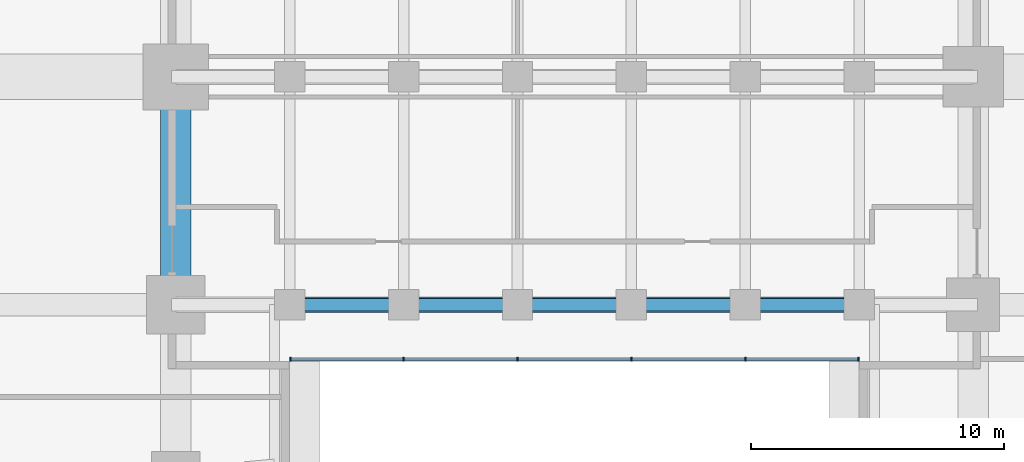
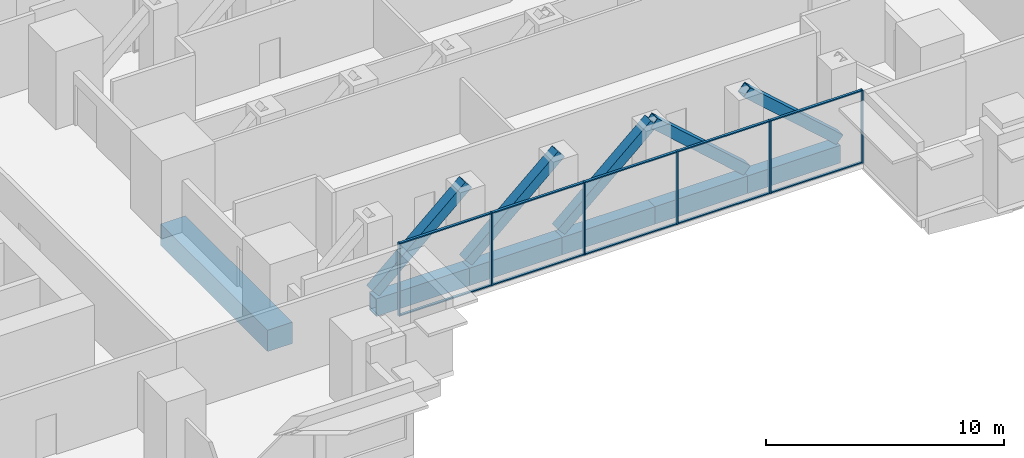
# One storey, part 2 of 14: 21 members, 6 beams, 1 element without a shape of its own.
"""IFC4 building model written with IfcOpenShell, lengths in metres."""

from ifc_helpers import new_model, si_unit, direction, frame, origin, origin_2d, place, context, subcontext, project, spatial, rectangle, hollow_rectangle, extrude, material, layer, layer_set, material_profile, profile_set, type_object, element, aggregate, save


model = new_model("IFC4")

# Units and contexts
model_context = context("Model", 3, precision=1e-05, world=origin(), true_north=direction((0.0, 1.0)))
body_context = subcontext(model_context, "Body", "Model", "MODEL_VIEW")
ifc_project = project(units=[si_unit("LENGTHUNIT", "METRE"), si_unit("AREAUNIT", "SQUARE_METRE"), si_unit("VOLUMEUNIT", "CUBIC_METRE"), si_unit("PLANEANGLEUNIT", "RADIAN"), si_unit("MASSUNIT", "GRAM", prefix="KILO")], contexts=[model_context])

# Site, building, storey
site_placement = place(None, origin())
site = spatial("IfcSite", under=ifc_project, at=site_placement, CompositionType="ELEMENT")
building_placement = place(site_placement, origin())
building = spatial("IfcBuilding", under=site, at=building_placement, Name="Namib Vertical Campus", CompositionType="ELEMENT")
storey_placement = place(building_placement, frame((0.0, 0.0, 133.0)))
storey = spatial("IfcBuildingStorey", under=building, at=storey_placement, Name="L31", CompositionType="ELEMENT", Elevation=133.0)

# Members
ifc_material_1 = material(Name="Steel S355JR", Category="steel")
ifc_material_profile_1 = material_profile(ifc_material_1, hollow_rectangle(XDim=0.5, YDim=0.5, WallThickness=0.031982421875, at=origin_2d()))
ifc_profile_set_1 = profile_set([ifc_material_profile_1], Name="Steel S355JR")
member_type_1 = type_object("IfcMemberType", Name="Bridge end brace WB 500x500x32", PredefinedType="BRACE", material=ifc_profile_set_1)
for number, where, z_axis, x_axis, name in (
    (1, (40.5, 11.25, 0.0), (0.747409318684, 0.0, 0.66436383883), (0.0, 1.0, 0.0), "Bridge brace BX1 L31 T1 bay 2"),
    (2, (45.0, 11.25, 0.0), (0.747409318684, 0.0, 0.66436383883), (0.0, 1.0, 0.0), "Bridge brace BX1 L31 T1 bay 3"),
    (3, (49.5, 11.25, 0.0), (0.747409318684, 0.0, 0.66436383883), (0.0, 1.0, 0.0), "Bridge brace BX1 L31 T1 bay 4"),
    (4, (58.5, 11.25, 0.0), (-0.747409318684, 0.0, 0.66436383883), (0.0, -1.0, 0.0), "Bridge brace BX1 L31 T1 bay 5"),
    (5, (63.0, 11.25, 0.0), (-0.747409318684, 0.0, 0.66436383883), (0.0, -1.0, 0.0), "Bridge brace BX1 L31 T1 bay 6"),
):
    element("IfcMember", number, at=place(storey_placement, frame(where, z_axis=z_axis, x_axis=x_axis)), inside=storey, type_object=member_type_1, Name=name, PredefinedType="BRACE", context=body_context, shape_type="SweptSolid", body=[
        extrude(hollow_rectangle(XDim=0.5, YDim=0.5, WallThickness=0.031982421875, at=origin_2d()), origin(), (0.0, 0.0, 1.0), 6.020751953125),
    ])

# Beams
ifc_material_2 = material(Name="Steel S355JR", Category="steel")
ifc_material_profile_2 = material_profile(ifc_material_2, hollow_rectangle(XDim=0.60009765625, YDim=0.89990234375, WallThickness=0.050048828125, at=origin_2d()))
ifc_profile_set_2 = profile_set([ifc_material_profile_2], Name="Steel S355JR")
beam_type_1 = type_object("IfcBeamType", Name="Bridge girder WB 900x600x50", PredefinedType="BEAM", material=ifc_profile_set_2)
for number, where, z_axis, x_axis, name in (
    (6, (40.5, 11.25, -0.699951171875), (1.0, 0.0, 0.0), (0.0, 1.0, 0.0), "Bridge girder BG1 L31"),
    (7, (45.0, 11.25, -0.699951171875), (1.0, 0.0, 0.0), (0.0, 1.0, 0.0), "Bridge girder BG1 L31"),
    (8, (49.5, 11.25, -0.699951171875), (1.0, 0.0, 0.0), (0.0, 1.0, 0.0), "Bridge girder BG1 L31"),
    (9, (54.0, 11.25, -0.699951171875), (1.0, 0.0, 0.0), (0.0, 1.0, 0.0), "Bridge girder BG1 L31"),
    (10, (58.5, 11.25, -0.699951171875), (1.0, 0.0, 0.0), (0.0, 1.0, 0.0), "Bridge girder BG1 L31"),
):
    element("IfcBeam", number, at=place(storey_placement, frame(where, z_axis=z_axis, x_axis=x_axis)), inside=storey, type_object=beam_type_1, Name=name, PredefinedType="BEAM", context=body_context, shape_type="SweptSolid", body=[
        extrude(hollow_rectangle(XDim=0.60009765625, YDim=0.89990234375, WallThickness=0.050048828125, at=origin_2d()), origin(), (0.0, 0.0, 1.0), 4.5),
    ])

# Curtain wall, members
ifc_material_3 = material(Name="Black aluminium curtain wall", Category="aluminium")
ifc_layer = layer(ifc_material_3, 0.199951171875)
ifc_layer_set = layer_set([ifc_layer], Name="Bridge curtain wall CW-BR")
curtain_wall_type = type_object("IfcCurtainWallType", Name="Bridge curtain wall CW-BR", PredefinedType="USERDEFINED", material=ifc_layer_set)
curtain_wall_placement = place(storey_placement, origin())
curtain_wall = element("IfcCurtainWall", 11, at=curtain_wall_placement, inside=storey, type_object=curtain_wall_type, Name="Curtain wall CW-BR L31 S", ObjectType="CURTAIN WALL", PredefinedType="USERDEFINED")
ifc_material_4 = material(Name="Black anodised aluminium", Category="aluminium")
ifc_material_profile_3 = material_profile(ifc_material_4, rectangle(XDim=0.06005859375, YDim=0.159912109375, at=origin_2d()))
ifc_profile_set_3 = profile_set([ifc_material_profile_3], Name="Black anodised aluminium")
member_type_2 = type_object("IfcMemberType", Name="Curtain wall mullion 60x160", PredefinedType="MULLION", material=ifc_profile_set_3)
member_1_placement = place(storey_placement, frame((40.530029296875, 9.10009765625, 0.0), z_axis=(0.0, 0.0, 1.0), x_axis=(1.0, 0.0, 0.0)))
member_1 = element("IfcMember", 12, at=member_1_placement, type_object=member_type_2, Name="CW-BR mullion 1", PredefinedType="MULLION", context=body_context, shape_type="SweptSolid", body=[
    extrude(rectangle(XDim=0.06005859375, YDim=0.159912109375, at=origin_2d()), origin(), (0.0, 0.0, 1.0), 3.75),
])
member_2_placement = place(storey_placement, frame((45.0, 9.10009765625, 0.0), z_axis=(0.0, 0.0, 1.0), x_axis=(1.0, 0.0, 0.0)))
member_2 = element("IfcMember", 13, at=member_2_placement, type_object=member_type_2, Name="CW-BR mullion 2", PredefinedType="MULLION", context=body_context, shape_type="SweptSolid", body=[
    extrude(rectangle(XDim=0.06005859375, YDim=0.159912109375, at=origin_2d()), origin(), (0.0, 0.0, 1.0), 3.75),
])
member_3_placement = place(storey_placement, frame((49.5, 9.10009765625, 0.0), z_axis=(0.0, 0.0, 1.0), x_axis=(1.0, 0.0, 0.0)))
member_3 = element("IfcMember", 14, at=member_3_placement, type_object=member_type_2, Name="CW-BR mullion 3", PredefinedType="MULLION", context=body_context, shape_type="SweptSolid", body=[
    extrude(rectangle(XDim=0.06005859375, YDim=0.159912109375, at=origin_2d()), origin(), (0.0, 0.0, 1.0), 3.75),
])
member_4_placement = place(storey_placement, frame((54.0, 9.10009765625, 0.0), z_axis=(0.0, 0.0, 1.0), x_axis=(1.0, 0.0, 0.0)))
member_4 = element("IfcMember", 15, at=member_4_placement, type_object=member_type_2, Name="CW-BR mullion 4", PredefinedType="MULLION", context=body_context, shape_type="SweptSolid", body=[
    extrude(rectangle(XDim=0.06005859375, YDim=0.159912109375, at=origin_2d()), origin(), (0.0, 0.0, 1.0), 3.75),
])
member_5_placement = place(storey_placement, frame((58.5, 9.10009765625, 0.0), z_axis=(0.0, 0.0, 1.0), x_axis=(1.0, 0.0, 0.0)))
member_5 = element("IfcMember", 16, at=member_5_placement, type_object=member_type_2, Name="CW-BR mullion 5", PredefinedType="MULLION", context=body_context, shape_type="SweptSolid", body=[
    extrude(rectangle(XDim=0.06005859375, YDim=0.159912109375, at=origin_2d()), origin(), (0.0, 0.0, 1.0), 3.75),
])
member_6_placement = place(storey_placement, frame((62.969970703125, 9.10009765625, 0.0), z_axis=(0.0, 0.0, 1.0), x_axis=(1.0, 0.0, 0.0)))
member_6 = element("IfcMember", 17, at=member_6_placement, type_object=member_type_2, Name="CW-BR mullion 6", PredefinedType="MULLION", context=body_context, shape_type="SweptSolid", body=[
    extrude(rectangle(XDim=0.06005859375, YDim=0.159912109375, at=origin_2d()), origin(), (0.0, 0.0, 1.0), 3.75),
])
ifc_material_5 = material(Name="Black anodised aluminium", Category="aluminium")
ifc_material_profile_4 = material_profile(ifc_material_5, rectangle(XDim=0.06005859375, YDim=0.1201171875, at=origin_2d()))
ifc_profile_set_4 = profile_set([ifc_material_profile_4], Name="Black anodised aluminium")
member_type_3 = type_object("IfcMemberType", Name="Curtain wall transom 60x120", PredefinedType="USERDEFINED", material=ifc_profile_set_4)
member_7_placement = place(storey_placement, frame((40.56005859375, 9.10009765625, 0.030029296875), z_axis=(1.0, 0.0, 0.0), x_axis=(0.0, 0.0, 1.0)))
member_7 = element("IfcMember", 18, at=member_7_placement, type_object=member_type_3, Name="CW-BR transom 1.1", ObjectType="TRANSOM", PredefinedType="USERDEFINED", context=body_context, shape_type="SweptSolid", body=[
    extrude(rectangle(XDim=0.06005859375, YDim=0.1201171875, at=origin_2d()), origin(), (0.0, 0.0, 1.0), 4.409912109375),
])
member_8_placement = place(storey_placement, frame((40.56005859375, 9.10009765625, 3.719970703125), z_axis=(1.0, 0.0, 0.0), x_axis=(0.0, 0.0, 1.0)))
member_8 = element("IfcMember", 19, at=member_8_placement, type_object=member_type_3, Name="CW-BR transom 1.2", ObjectType="TRANSOM", PredefinedType="USERDEFINED", context=body_context, shape_type="SweptSolid", body=[
    extrude(rectangle(XDim=0.06005859375, YDim=0.1201171875, at=origin_2d()), origin(), (0.0, 0.0, 1.0), 4.409912109375),
])
member_9_placement = place(storey_placement, frame((45.030029296875, 9.10009765625, 0.030029296875), z_axis=(1.0, 0.0, 0.0), x_axis=(0.0, 0.0, 1.0)))
member_9 = element("IfcMember", 20, at=member_9_placement, type_object=member_type_3, Name="CW-BR transom 2.1", ObjectType="TRANSOM", PredefinedType="USERDEFINED", context=body_context, shape_type="SweptSolid", body=[
    extrude(rectangle(XDim=0.06005859375, YDim=0.1201171875, at=origin_2d()), origin(), (0.0, 0.0, 1.0), 4.43994140625),
])
member_10_placement = place(storey_placement, frame((45.030029296875, 9.10009765625, 3.719970703125), z_axis=(1.0, 0.0, 0.0), x_axis=(0.0, 0.0, 1.0)))
member_10 = element("IfcMember", 21, at=member_10_placement, type_object=member_type_3, Name="CW-BR transom 2.2", ObjectType="TRANSOM", PredefinedType="USERDEFINED", context=body_context, shape_type="SweptSolid", body=[
    extrude(rectangle(XDim=0.06005859375, YDim=0.1201171875, at=origin_2d()), origin(), (0.0, 0.0, 1.0), 4.43994140625),
])
member_11_placement = place(storey_placement, frame((49.530029296875, 9.10009765625, 0.030029296875), z_axis=(1.0, 0.0, 0.0), x_axis=(0.0, 0.0, 1.0)))
member_11 = element("IfcMember", 22, at=member_11_placement, type_object=member_type_3, Name="CW-BR transom 3.1", ObjectType="TRANSOM", PredefinedType="USERDEFINED", context=body_context, shape_type="SweptSolid", body=[
    extrude(rectangle(XDim=0.06005859375, YDim=0.1201171875, at=origin_2d()), origin(), (0.0, 0.0, 1.0), 4.43994140625),
])
member_12_placement = place(storey_placement, frame((49.530029296875, 9.10009765625, 3.719970703125), z_axis=(1.0, 0.0, 0.0), x_axis=(0.0, 0.0, 1.0)))
member_12 = element("IfcMember", 23, at=member_12_placement, type_object=member_type_3, Name="CW-BR transom 3.2", ObjectType="TRANSOM", PredefinedType="USERDEFINED", context=body_context, shape_type="SweptSolid", body=[
    extrude(rectangle(XDim=0.06005859375, YDim=0.1201171875, at=origin_2d()), origin(), (0.0, 0.0, 1.0), 4.43994140625),
])
member_13_placement = place(storey_placement, frame((54.030029296875, 9.10009765625, 0.030029296875), z_axis=(1.0, 0.0, 0.0), x_axis=(0.0, 0.0, 1.0)))
member_13 = element("IfcMember", 24, at=member_13_placement, type_object=member_type_3, Name="CW-BR transom 4.1", ObjectType="TRANSOM", PredefinedType="USERDEFINED", context=body_context, shape_type="SweptSolid", body=[
    extrude(rectangle(XDim=0.06005859375, YDim=0.1201171875, at=origin_2d()), origin(), (0.0, 0.0, 1.0), 4.43994140625),
])
member_14_placement = place(storey_placement, frame((54.030029296875, 9.10009765625, 3.719970703125), z_axis=(1.0, 0.0, 0.0), x_axis=(0.0, 0.0, 1.0)))
member_14 = element("IfcMember", 25, at=member_14_placement, type_object=member_type_3, Name="CW-BR transom 4.2", ObjectType="TRANSOM", PredefinedType="USERDEFINED", context=body_context, shape_type="SweptSolid", body=[
    extrude(rectangle(XDim=0.06005859375, YDim=0.1201171875, at=origin_2d()), origin(), (0.0, 0.0, 1.0), 4.43994140625),
])
member_15_placement = place(storey_placement, frame((58.530029296875, 9.10009765625, 0.030029296875), z_axis=(1.0, 0.0, 0.0), x_axis=(0.0, 0.0, 1.0)))
member_15 = element("IfcMember", 26, at=member_15_placement, type_object=member_type_3, Name="CW-BR transom 5.1", ObjectType="TRANSOM", PredefinedType="USERDEFINED", context=body_context, shape_type="SweptSolid", body=[
    extrude(rectangle(XDim=0.06005859375, YDim=0.1201171875, at=origin_2d()), origin(), (0.0, 0.0, 1.0), 4.409912109375),
])
member_16_placement = place(storey_placement, frame((58.530029296875, 9.10009765625, 3.719970703125), z_axis=(1.0, 0.0, 0.0), x_axis=(0.0, 0.0, 1.0)))
member_16 = element("IfcMember", 27, at=member_16_placement, type_object=member_type_3, Name="CW-BR transom 5.2", ObjectType="TRANSOM", PredefinedType="USERDEFINED", context=body_context, shape_type="SweptSolid", body=[
    extrude(rectangle(XDim=0.06005859375, YDim=0.1201171875, at=origin_2d()), origin(), (0.0, 0.0, 1.0), 4.409912109375),
])
aggregate(curtain_wall, [member_1, member_2, member_3, member_4, member_5, member_6, member_7, member_8, member_9, member_10, member_11, member_12, member_13, member_14, member_15, member_16])

# Beam
ifc_material_6 = material(Name="Concrete C40/50", Category="concrete")
ifc_material_profile_5 = material_profile(ifc_material_6, rectangle(XDim=1.199951171875, YDim=1.10009765625, at=origin_2d()))
ifc_profile_set_5 = profile_set([ifc_material_profile_5], Name="Concrete C40/50")
beam_type_2 = type_object("IfcBeamType", Name="Face ring beam RC 1200x1100", PredefinedType="BEAM", material=ifc_profile_set_5)
beam_placement = place(storey_placement, frame((36.0, 11.25, -0.800048828125), z_axis=(0.0, 1.0, 0.0), x_axis=(-1.0, 0.0, 0.0)))
element("IfcBeam", 28, at=beam_placement, inside=storey, type_object=beam_type_2, Name="Beam B11 L31", PredefinedType="BEAM", context=body_context, shape_type="SweptSolid", body=[
    extrude(rectangle(XDim=1.199951171875, YDim=1.10009765625, at=origin_2d()), origin(), (0.0, 0.0, 1.0), 9.0),
])

save(model, "model.ifc")
